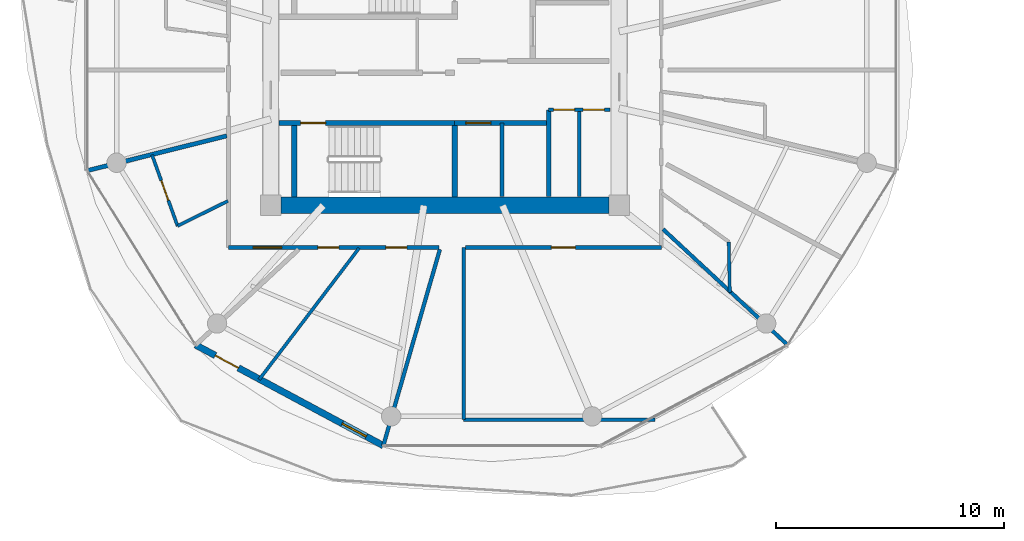
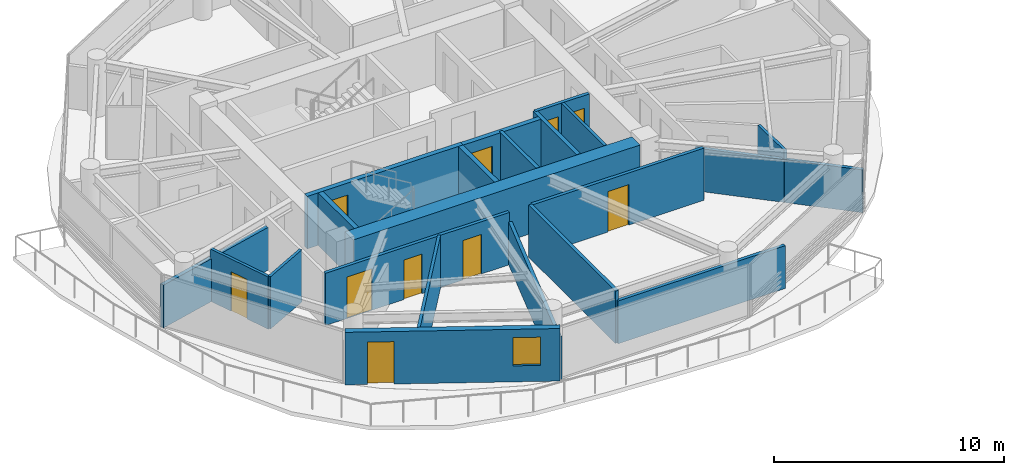
# One storey, part 13 of 24: 21 walls, 10 doors, 1 window, 11 openings.
"""IFC4 building model written with IfcOpenShell, lengths in metres."""

from ifc_helpers import new_model, si_unit, direction, frame, frame_2d, origin, place, context, subcontext, project, spatial, rectangle, extrude, source, transform, mapped, material, layer, layer_set, type_object, type_shapes, element, fill, save


model = new_model("IFC4")

# Units and contexts
model_context = context("Model", 3, precision=1e-05, world=origin(), true_north=direction((0.0, 1.0)))
body_context = subcontext(model_context, "Body", "Model", "MODEL_VIEW")
ifc_project = project(units=[si_unit("LENGTHUNIT", "METRE"), si_unit("AREAUNIT", "SQUARE_METRE"), si_unit("VOLUMEUNIT", "CUBIC_METRE"), si_unit("PLANEANGLEUNIT", "RADIAN"), si_unit("MASSUNIT", "GRAM", prefix="KILO")], contexts=[model_context])

# Site, building, storey
site_placement = place(None, origin())
site = spatial("IfcSite", under=ifc_project, at=site_placement, CompositionType="ELEMENT")
building_placement = place(site_placement, origin())
building = spatial("IfcBuilding", under=site, at=building_placement, Name="Norrkilde Senior Care Towers", CompositionType="ELEMENT")
storey_placement = place(building_placement, frame((0.0, 0.0, 108.449951171875)))
storey = spatial("IfcBuildingStorey", under=building, at=storey_placement, Name="L33", CompositionType="ELEMENT", Elevation=108.449951171875)

# Wall
ifc_material_1 = material(Name="Concrete C60/75", Category="concrete")
ifc_layer_1 = layer(ifc_material_1, 0.719970703125)
ifc_layer_set_1 = layer_set([ifc_layer_1], Name="Concrete C60/75")
wall_type_1 = type_object("IfcWallType", Name="Core Shear Wall Z2 720", PredefinedType="SHEAR", material=ifc_layer_set_1)
shared_shape_1 = source(origin(), body_context, "Body", "SweptSolid", [
    extrude(rectangle(XDim=14.39990234375, YDim=0.719970703125, at=frame_2d((7.199951171875, 0.0))), origin(), (0.0, 0.0, 1.0), 2.7900390625),
])
type_shapes(wall_type_1, [shared_shape_1])
wall_1_placement = place(storey_placement, frame((-20.800048828125, -5.949951171875, 0.0), z_axis=(0.0, 0.0, 1.0), x_axis=(-1.0, 0.0, 0.0)))
element("IfcWall", 1, at=wall_1_placement, inside=storey, type_object=wall_type_1, Name="L33 Core W South Shear Wall", PredefinedType="SHEAR", context=body_context, shape_type="MappedRepresentation", body=[
    mapped(shared_shape_1, transform((0.0, 0.0, 0.0), x_axis=(1.0, 0.0, 0.0), y_axis=(0.0, 1.0, 0.0), z_axis=(0.0, 0.0, 1.0), scale=1.0)),
])

# Wall, openings, door, window
ifc_material_2 = material(Name="Precast concrete C45/55", Category="concrete")
ifc_layer_2 = layer(ifc_material_2, 0.2900390625)
ifc_layer_set_2 = layer_set([ifc_layer_2], Name="Precast concrete C45/55")
wall_type_2 = type_object("IfcWallType", Name="Winter Garden Facade Wall 290", PredefinedType="SOLIDWALL", material=ifc_layer_set_2)
shared_shape_2 = source(origin(), body_context, "Body", "SweptSolid", [
    extrude(rectangle(XDim=9.3505859375, YDim=0.2900390625, at=frame_2d((4.67529296875, 0.0))), origin(), (0.0, 0.0, 1.0), 2.7900390625),
])
type_shapes(wall_type_2, [shared_shape_2])
wall_2_placement = place(storey_placement, frame((-30.70703125, -16.498046875, 0.0), z_axis=(0.0, 0.0, 1.0), x_axis=(-0.881184411073, 0.472772708267, 0.0)))
wall_2 = element("IfcWall", 2, at=wall_2_placement, inside=storey, type_object=wall_type_2, Name="L33 Drum W Balcony Access Wall 07", PredefinedType="SOLIDWALL", context=body_context, shape_type="MappedRepresentation", body=[
    mapped(shared_shape_2, transform((0.0, 0.0, 0.0), x_axis=(1.0, 0.0, 0.0), y_axis=(0.0, 1.0, 0.0), z_axis=(0.0, 0.0, 1.0), scale=1.0)),
])
opening_1_placement = place(wall_2_placement, frame((7.219970703125, 0.0, 0.0)))
opening_1 = element("IfcOpeningElement", 3, at=opening_1_placement, cuts=wall_2, Name="Opening D-09", PredefinedType="OPENING", context=body_context, shape_type="SweptSolid", body=[
    extrude(rectangle(XDim=1.14990234375, YDim=2.25, at=frame_2d((0.574951171875, 1.125))), frame((0.0, 0.155029296875, 0.0), z_axis=(0.0, -1.0, 0.0), x_axis=(1.0, 0.0, 0.0)), (0.0, 0.0, 1.0), 0.31005859375),
])
opening_2_placement = place(wall_2_placement, frame((0.85009765625, 0.0, 0.85009765625)))
opening_2 = element("IfcOpeningElement", 4, at=opening_2_placement, cuts=wall_2, Name="Opening WN-07", PredefinedType="OPENING", context=body_context, shape_type="SweptSolid", body=[
    extrude(rectangle(XDim=1.199951171875, YDim=1.5, at=frame_2d((0.60009765625, 0.75))), frame((0.0, 0.155029296875, 0.0), z_axis=(0.0, -1.0, 0.0), x_axis=(1.0, 0.0, 0.0)), (0.0, 0.0, 1.0), 0.31005859375),
])
ifc_material_3 = material(Name="Anodised Aluminium", Category="aluminium")
door_type_1 = type_object("IfcDoorType", Name="Terrace and Balcony Glazed Door 1150x2250", OperationType="NOTDEFINED", PredefinedType="DOOR", material=ifc_material_3)
shared_shape_3 = source(origin(), body_context, "Body", "SweptSolid", [
    extrude(rectangle(XDim=1.14990234375, YDim=2.25, at=frame_2d((0.574951171875, 1.125))), frame((0.0, 0.02490234375, 0.0), z_axis=(0.0, -1.0, 0.0), x_axis=(1.0, 0.0, 0.0)), (0.0, 0.0, 1.0), 0.050048828125),
])
type_shapes(door_type_1, [shared_shape_3])
door_1_placement = place(opening_1_placement, origin())
door_1 = element("IfcDoor", 5, at=door_1_placement, inside=storey, type_object=door_type_1, Name="L33 Drum W Outdoor Terrace Door 07", OperationType="SINGLE_SWING_RIGHT", OverallHeight=2.25, OverallWidth=1.14990234375, PredefinedType="DOOR", context=body_context, shape_type="MappedRepresentation", body=[
    mapped(shared_shape_3, transform((0.0, 0.0, 0.0), x_axis=(1.0, 0.0, 0.0), y_axis=(0.0, 1.0, 0.0), z_axis=(0.0, 0.0, 1.0), scale=1.0)),
])
fill(opening_1, door_1)
ifc_material_4 = material(Name="Triple Low-E Insulated Glazing", Category="glass")
window_type = type_object("IfcWindowType", Name="Stairwell Smoke Vent Window 1200x1500", PartitioningType="SINGLE_PANEL", PredefinedType="WINDOW", material=ifc_material_4)
shared_shape_4 = source(origin(), body_context, "Body", "SweptSolid", [
    extrude(rectangle(XDim=1.199951171875, YDim=1.5, at=frame_2d((0.60009765625, 0.75))), frame((0.0, 0.030029296875, 0.0), z_axis=(0.0, -1.0, 0.0), x_axis=(1.0, 0.0, 0.0)), (0.0, 0.0, 1.0), 0.06005859375),
])
type_shapes(window_type, [shared_shape_4])
window_placement = place(opening_2_placement, origin())
window = element("IfcWindow", 6, at=window_placement, inside=storey, type_object=window_type, Name="L33 Drum W Winter Garden Window 07", OverallHeight=1.5, OverallWidth=1.199951171875, PartitioningType="SINGLE_PANEL", PredefinedType="WINDOW", context=body_context, shape_type="MappedRepresentation", body=[
    mapped(shared_shape_4, transform((0.0, 0.0, 0.0), x_axis=(1.0, 0.0, 0.0), y_axis=(0.0, 1.0, 0.0), z_axis=(0.0, 0.0, 1.0), scale=1.0)),
])
fill(opening_2, window)

# Wall
ifc_material_5 = material(Name="Concrete C45/55", Category="concrete")
ifc_layer_3 = layer(ifc_material_5, 0.199951171875)
ifc_layer_set_3 = layer_set([ifc_layer_3], Name="Concrete C45/55")
wall_type_3 = type_object("IfcWallType", Name="Shaft Division and Plant Partition 200", PredefinedType="PARTITIONING", material=ifc_layer_set_3)
shared_shape_5 = source(origin(), body_context, "Body", "SweptSolid", [
    extrude(rectangle(XDim=3.800048828125, YDim=0.199951171875, at=frame_2d((1.89990234375, 0.0))), origin(), (0.0, 0.0, 1.0), 2.775146484375),
])
type_shapes(wall_type_3, [shared_shape_5])
wall_3_placement = place(storey_placement, frame((-23.449951171875, -5.550048828125, 0.0), z_axis=(0.0, 0.0, 1.0), x_axis=(0.0, 1.0, 0.0)))
element("IfcWall", 7, at=wall_3_placement, inside=storey, type_object=wall_type_3, Name="WL-INT-L33-W-PKBE", PredefinedType="PARTITIONING", context=body_context, shape_type="MappedRepresentation", body=[
    mapped(shared_shape_5, transform((0.0, 0.0, 0.0), x_axis=(1.0, 0.0, 0.0), y_axis=(0.0, 1.0, 0.0), z_axis=(0.0, 0.0, 1.0), scale=1.0)),
])

# Wall, opening, door
ifc_layer_4 = layer(ifc_material_5, 0.239990234375)
ifc_layer_set_4 = layer_set([ifc_layer_4], Name="Concrete C45/55")
wall_type_4 = type_object("IfcWallType", Name="Lift and Plant Rated Enclosure Partition 240", PredefinedType="PARTITIONING", material=ifc_layer_set_4)
shared_shape_6 = source(origin(), body_context, "Body", "SweptSolid", [
    extrude(rectangle(XDim=4.130126953125, YDim=0.239990234375, at=frame_2d((2.06494140625, 0.0))), origin(), (0.0, 0.0, 1.0), 2.775146484375),
])
type_shapes(wall_type_4, [shared_shape_6])
wall_4_placement = place(storey_placement, frame((-27.580078125, -2.330078125, 0.0), z_axis=(0.0, 0.0, 1.0), x_axis=(1.0, 0.0, 0.0)))
wall_4 = element("IfcWall", 8, at=wall_4_placement, inside=storey, type_object=wall_type_4, Name="WL-INT-L33-W-PKBN", PredefinedType="PARTITIONING", context=body_context, shape_type="MappedRepresentation", body=[
    mapped(shared_shape_6, transform((0.0, 0.0, 0.0), x_axis=(1.0, 0.0, 0.0), y_axis=(0.0, 1.0, 0.0), z_axis=(0.0, 0.0, 1.0), scale=1.0)),
])
opening_3_placement = place(wall_4_placement, frame((0.5, 0.0, 0.0)))
opening_3 = element("IfcOpeningElement", 9, at=opening_3_placement, cuts=wall_4, Name="Opening LD-01", PredefinedType="OPENING", context=body_context, shape_type="SweptSolid", body=[
    extrude(rectangle(XDim=1.10009765625, YDim=2.199951171875, at=frame_2d((0.550048828125, 1.10009765625))), frame((0.0, 0.1298828125, 0.0), z_axis=(0.0, -1.0, 0.0), x_axis=(1.0, 0.0, 0.0)), (0.0, 0.0, 1.0), 0.260009765625),
])
ifc_material_6 = material(Name="Stainless Steel", Category="steel")
door_type_2 = type_object("IfcDoorType", Name="Lift Landing Sliding Door 1100x2200", OperationType="NOTDEFINED", PredefinedType="DOOR", material=ifc_material_6)
shared_shape_7 = source(origin(), body_context, "Body", "SweptSolid", [
    extrude(rectangle(XDim=1.10009765625, YDim=2.199951171875, at=frame_2d((0.550048828125, 1.10009765625))), frame((0.0, 0.02490234375, 0.0), z_axis=(0.0, -1.0, 0.0), x_axis=(1.0, 0.0, 0.0)), (0.0, 0.0, 1.0), 0.050048828125),
])
type_shapes(door_type_2, [shared_shape_7])
door_2_placement = place(opening_3_placement, frame((1.10009765625, 0.0, 0.0), z_axis=(0.0, 0.0, 1.0), x_axis=(-1.0, 0.0, 0.0)))
door_2 = element("IfcDoor", 10, at=door_2_placement, inside=storey, type_object=door_type_2, Name="L33 Passenger Lift W3 Landing Door", OperationType="SLIDING_TO_LEFT", OverallHeight=2.199951171875, OverallWidth=1.10009765625, PredefinedType="DOOR", context=body_context, shape_type="MappedRepresentation", body=[
    mapped(shared_shape_7, transform((0.0, 0.0, 0.0), x_axis=(1.0, 0.0, 0.0), y_axis=(0.0, 1.0, 0.0), z_axis=(0.0, 0.0, 1.0), scale=1.0)),
])
fill(opening_3, door_2)

# Wall
ifc_layer_5 = layer(ifc_material_5, 0.179931640625)
ifc_layer_set_5 = layer_set([ifc_layer_5], Name="Concrete C45/55")
wall_type_5 = type_object("IfcWallType", Name="Hoistway Division Rated Partition 180", PredefinedType="PARTITIONING", material=ifc_layer_set_5)
shared_shape_8 = source(origin(), body_context, "Body", "SweptSolid", [
    extrude(rectangle(XDim=3.219970703125, YDim=0.179931640625, at=frame_2d((1.60986328125, 0.0))), origin(), (0.0, 0.0, 1.0), 2.775146484375),
])
type_shapes(wall_type_5, [shared_shape_8])
wall_5_placement = place(storey_placement, frame((-25.5, -5.550048828125, 0.0), z_axis=(0.0, 0.0, 1.0), x_axis=(0.0, 1.0, 0.0)))
element("IfcWall", 11, at=wall_5_placement, inside=storey, type_object=wall_type_5, Name="WL-INT-L33-W-PL34", PredefinedType="PARTITIONING", context=body_context, shape_type="MappedRepresentation", body=[
    mapped(shared_shape_8, transform((0.0, 0.0, 0.0), x_axis=(1.0, 0.0, 0.0), y_axis=(0.0, 1.0, 0.0), z_axis=(0.0, 0.0, 1.0), scale=1.0)),
])

# Wall, openings, doors
ifc_material_7 = material(Name="Gypsum Acoustic Board")
ifc_layer_6 = layer(ifc_material_7, 0.1650390625)
ifc_layer_set_6 = layer_set([ifc_layer_6], Name="Gypsum Acoustic Board")
wall_type_6 = type_object("IfcWallType", Name="Corridor Rated Partition 165", PredefinedType="PARTITIONING", material=ifc_layer_set_6)
shared_shape_9 = source(origin(), body_context, "Body", "SweptSolid", [
    extrude(rectangle(XDim=2.699951171875, YDim=0.1650390625, at=frame_2d((1.35009765625, 0.0))), origin(), (0.0, 0.0, 1.0), 2.775146484375),
])
wall_6_placement = place(storey_placement, frame((-23.449951171875, -1.75, 0.0), z_axis=(0.0, 0.0, 1.0), x_axis=(1.0, 0.0, 0.0)))
wall_6 = element("IfcWall", 12, at=wall_6_placement, inside=storey, type_object=wall_type_6, Name="WL-INT-L33-W-CSN", PredefinedType="PARTITIONING", context=body_context, shape_type="MappedRepresentation", body=[
    mapped(shared_shape_9, transform((0.0, 0.0, 0.0), x_axis=(1.0, 0.0, 0.0), y_axis=(0.0, 1.0, 0.0), z_axis=(0.0, 0.0, 1.0), scale=1.0)),
])
opening_4_placement = place(wall_6_placement, frame((0.222412109375, 0.0, 0.0)))
opening_4 = element("IfcOpeningElement", 13, at=opening_4_placement, cuts=wall_6, Name="Opening D-12", PredefinedType="OPENING", context=body_context, shape_type="SweptSolid", body=[
    extrude(rectangle(XDim=0.925048828125, YDim=2.10009765625, at=frame_2d((0.46240234375, 1.050048828125))), frame((0.0, 0.092529296875, 0.0), z_axis=(0.0, -1.0, 0.0), x_axis=(1.0, 0.0, 0.0)), (0.0, 0.0, 1.0), 0.18505859375),
])
opening_5_placement = place(wall_6_placement, frame((1.5224609375, 0.0, 0.0)))
opening_5 = element("IfcOpeningElement", 14, at=opening_5_placement, cuts=wall_6, Name="Opening D-12", PredefinedType="OPENING", context=body_context, shape_type="SweptSolid", body=[
    extrude(rectangle(XDim=0.925048828125, YDim=2.10009765625, at=frame_2d((0.46240234375, 1.050048828125))), frame((0.0, 0.092529296875, 0.0), z_axis=(0.0, -1.0, 0.0), x_axis=(1.0, 0.0, 0.0)), (0.0, 0.0, 1.0), 0.18505859375),
])
ifc_material_8 = material(Name="Galvanised Painted Steel", Category="steel")
door_type_3 = type_object("IfcDoorType", Name="Core Wet Room Rated Door 925x2100", OperationType="NOTDEFINED", PredefinedType="DOOR", material=ifc_material_8)
shared_shape_10 = source(origin(), body_context, "Body", "SweptSolid", [
    extrude(rectangle(XDim=0.925048828125, YDim=2.10009765625, at=frame_2d((0.46240234375, 1.050048828125))), frame((0.0, 0.02490234375, 0.0), z_axis=(0.0, -1.0, 0.0), x_axis=(1.0, 0.0, 0.0)), (0.0, 0.0, 1.0), 0.050048828125),
])
type_shapes(door_type_3, [shared_shape_10])
door_3_placement = place(opening_4_placement, origin())
door_3 = element("IfcDoor", 15, at=door_3_placement, inside=storey, type_object=door_type_3, Name="L33 Staff Accessible WC W Door", OperationType="SINGLE_SWING_LEFT", OverallHeight=2.10009765625, OverallWidth=0.925048828125, PredefinedType="DOOR", context=body_context, shape_type="MappedRepresentation", body=[
    mapped(shared_shape_10, transform((0.0, 0.0, 0.0), x_axis=(1.0, 0.0, 0.0), y_axis=(0.0, 1.0, 0.0), z_axis=(0.0, 0.0, 1.0), scale=1.0)),
])
fill(opening_4, door_3)
door_4_placement = place(opening_5_placement, origin())
door_4 = element("IfcDoor", 16, at=door_4_placement, inside=storey, type_object=door_type_3, Name="L33 Housekeeping Store W Door", OperationType="SINGLE_SWING_RIGHT", OverallHeight=2.10009765625, OverallWidth=0.925048828125, PredefinedType="DOOR", context=body_context, shape_type="MappedRepresentation", body=[
    mapped(shared_shape_10, transform((0.0, 0.0, 0.0), x_axis=(1.0, 0.0, 0.0), y_axis=(0.0, 1.0, 0.0), z_axis=(0.0, 0.0, 1.0), scale=1.0)),
])
fill(opening_5, door_4)

# Wall, opening, door
ifc_layer_7 = layer(ifc_material_5, 0.239990234375)
ifc_layer_set_7 = layer_set([ifc_layer_7], Name="Concrete C45/55")
wall_type_7 = type_object("IfcWallType", Name="Shaft and Stair Enclosure Wall 240", PredefinedType="PARTITIONING", material=ifc_layer_set_7)
shared_shape_11 = source(origin(), body_context, "Body", "SweptSolid", [
    extrude(rectangle(XDim=7.830078125, YDim=0.239990234375, at=frame_2d((3.9150390625, 0.0))), origin(), (0.0, 0.0, 1.0), 2.7900390625),
])
wall_7_placement = place(storey_placement, frame((-35.2900390625, -2.330078125, 0.0), z_axis=(0.0, 0.0, 1.0), x_axis=(1.0, 0.0, 0.0)))
wall_7 = element("IfcWall", 17, at=wall_7_placement, inside=storey, type_object=wall_type_7, Name="WL-INT-L33-W-ST2N", PredefinedType="PARTITIONING", context=body_context, shape_type="MappedRepresentation", body=[
    mapped(shared_shape_11, transform((0.0, 0.0, 0.0), x_axis=(1.0, 0.0, 0.0), y_axis=(0.0, 1.0, 0.0), z_axis=(0.0, 0.0, 1.0), scale=1.0)),
])
opening_6_placement = place(wall_7_placement, frame((0.949951171875, 0.0, 0.0)))
opening_6 = element("IfcOpeningElement", 18, at=opening_6_placement, cuts=wall_7, Name="Opening D-03", PredefinedType="OPENING", context=body_context, shape_type="SweptSolid", body=[
    extrude(rectangle(XDim=1.10009765625, YDim=2.14990234375, at=frame_2d((0.550048828125, 1.074951171875))), frame((0.0, 0.1298828125, 0.0), z_axis=(0.0, -1.0, 0.0), x_axis=(1.0, 0.0, 0.0)), (0.0, 0.0, 1.0), 0.260009765625),
])
door_type_4 = type_object("IfcDoorType", Name="Stairwell Protected Fire Door 1100x2150", OperationType="NOTDEFINED", PredefinedType="DOOR", material=ifc_material_8)
shared_shape_12 = source(origin(), body_context, "Body", "SweptSolid", [
    extrude(rectangle(XDim=1.10009765625, YDim=2.14990234375, at=frame_2d((0.550048828125, 1.074951171875))), frame((0.0, 0.02490234375, 0.0), z_axis=(0.0, -1.0, 0.0), x_axis=(1.0, 0.0, 0.0)), (0.0, 0.0, 1.0), 0.050048828125),
])
type_shapes(door_type_4, [shared_shape_12])
door_5_placement = place(opening_6_placement, frame((1.10009765625, 0.0, 0.0), z_axis=(0.0, 0.0, 1.0), x_axis=(-1.0, 0.0, 0.0)))
door_5 = element("IfcDoor", 19, at=door_5_placement, inside=storey, type_object=door_type_4, Name="L33 Stair W2 Fire Door", OperationType="SINGLE_SWING_RIGHT", OverallHeight=2.14990234375, OverallWidth=1.10009765625, PredefinedType="DOOR", context=body_context, shape_type="MappedRepresentation", body=[
    mapped(shared_shape_12, transform((0.0, 0.0, 0.0), x_axis=(1.0, 0.0, 0.0), y_axis=(0.0, 1.0, 0.0), z_axis=(0.0, 0.0, 1.0), scale=1.0)),
])
fill(opening_6, door_5)

# Walls
shared_shape_13 = source(origin(), body_context, "Body", "SweptSolid", [
    extrude(rectangle(XDim=3.14013671875, YDim=0.239990234375, at=frame_2d((1.570068359375, 0.0))), origin(), (0.0, 0.0, 1.0), 2.7900390625),
])
type_shapes(wall_type_7, [shared_shape_11, shared_shape_13])
for number, where, z_axis, x_axis, name in (
    (20, (-34.6201171875, -5.590087890625, 0.0), (0.0, 0.0, 1.0), (0.0, 1.0, 0.0), "WL-INT-L33-W-ST2W"),
    (21, (-27.580078125, -5.590087890625, 0.0), (0.0, 0.0, 1.0), (0.0, 1.0, 0.0), "WL-INT-L33-W-ST2E"),
):
    element("IfcWall", number, at=place(storey_placement, frame(where, z_axis=z_axis, x_axis=x_axis)), inside=storey, type_object=wall_type_7, Name=name, PredefinedType="PARTITIONING", context=body_context, shape_type="MappedRepresentation", body=[
        mapped(shared_shape_13, transform((0.0, 0.0, 0.0), x_axis=(1.0, 0.0, 0.0), y_axis=(0.0, 1.0, 0.0), z_axis=(0.0, 0.0, 1.0), scale=1.0)),
    ])
ifc_layer_8 = layer(ifc_material_7, 0.139892578125)
ifc_layer_set_8 = layer_set([ifc_layer_8], Name="Gypsum Acoustic Board")
wall_type_8 = type_object("IfcWallType", Name="En-suite Wet Room Wall 140", PredefinedType="PARTITIONING", material=ifc_layer_set_8)
shared_shape_14 = source(origin(), body_context, "Body", "SweptSolid", [
    extrude(rectangle(XDim=7.24267578125, YDim=0.139892578125, at=frame_2d((3.621337890625, 0.0))), origin(), (0.0, 0.0, 1.0), 2.775146484375),
])
wall_8_placement = place(storey_placement, frame((-31.773681640625, -7.830078125, 0.0), z_axis=(0.0, 0.0, 1.0), x_axis=(-0.605111472002, -0.796140757939, 0.0)))
element("IfcWall", 22, at=wall_8_placement, inside=storey, type_object=wall_type_8, Name="WL-INT-L33-W-MID-07", PredefinedType="PARTITIONING", context=body_context, shape_type="MappedRepresentation", body=[
    mapped(shared_shape_14, transform((0.0, 0.0, 0.0), x_axis=(1.0, 0.0, 0.0), y_axis=(0.0, 1.0, 0.0), z_axis=(0.0, 0.0, 1.0), scale=1.0)),
])
ifc_layer_9 = layer(ifc_material_7, 0.18994140625)
ifc_layer_set_9 = layer_set([ifc_layer_9], Name="Gypsum Acoustic Board")
wall_type_9 = type_object("IfcWallType", Name="Unit Demising Acoustic Wall 190", PredefinedType="PARTITIONING", material=ifc_layer_set_9)
shared_shape_15 = source(origin(), body_context, "Body", "SweptSolid", [
    extrude(rectangle(XDim=6.33056640625, YDim=0.18994140625, at=frame_2d((3.165283203125, 0.0))), origin(), (0.0, 0.0, 1.0), 2.275146484375),
])
type_shapes(wall_type_9, [shared_shape_15])
wall_9_placement = place(storey_placement, frame((-37.580078125, -2.89599609375, 0.0), z_axis=(0.0, 0.0, 1.0), x_axis=(-0.97036440661, -0.241646267062, 0.0)))
element("IfcWall", 23, at=wall_9_placement, inside=storey, type_object=wall_type_9, Name="WL-INT-L33-W-DEM-06-0", PredefinedType="PARTITIONING", context=body_context, shape_type="MappedRepresentation", body=[
    mapped(shared_shape_15, transform((0.0, 0.0, 0.0), x_axis=(1.0, 0.0, 0.0), y_axis=(0.0, 1.0, 0.0), z_axis=(0.0, 0.0, 1.0), scale=1.0)),
])
shared_shape_16 = source(origin(), body_context, "Body", "SweptSolid", [
    extrude(rectangle(XDim=3.800048828125, YDim=0.139892578125, at=frame_2d((1.89990234375, 0.0))), origin(), (0.0, 0.0, 1.0), 2.775146484375),
])
wall_10_placement = place(storey_placement, frame((-22.10009765625, -5.550048828125, 0.0), z_axis=(0.0, 0.0, 1.0), x_axis=(0.0, 1.0, 0.0)))
element("IfcWall", 24, at=wall_10_placement, inside=storey, type_object=wall_type_8, Name="WL-INT-L33-W-CS1V", PredefinedType="PARTITIONING", context=body_context, shape_type="MappedRepresentation", body=[
    mapped(shared_shape_16, transform((0.0, 0.0, 0.0), x_axis=(1.0, 0.0, 0.0), y_axis=(0.0, 1.0, 0.0), z_axis=(0.0, 0.0, 1.0), scale=1.0)),
])

# Wall, opening, door
shared_shape_17 = source(origin(), body_context, "Body", "SweptSolid", [
    extrude(rectangle(XDim=8.60009765625, YDim=0.1650390625, at=frame_2d((4.300048828125, 0.0))), origin(), (0.0, 0.0, 1.0), 2.775146484375),
])
wall_11_placement = place(storey_placement, frame((-18.5, -7.800048828125, 0.0), z_axis=(0.0, 0.0, 1.0), x_axis=(-1.0, 0.0, 0.0)))
wall_11 = element("IfcWall", 25, at=wall_11_placement, inside=storey, type_object=wall_type_6, Name="WL-INT-L33-W-CRW-S-0", PredefinedType="PARTITIONING", context=body_context, shape_type="MappedRepresentation", body=[
    mapped(shared_shape_17, transform((0.0, 0.0, 0.0), x_axis=(1.0, 0.0, 0.0), y_axis=(0.0, 1.0, 0.0), z_axis=(0.0, 0.0, 1.0), scale=1.0)),
])
opening_7_placement = place(wall_11_placement, frame((3.77490234375, 0.0, 0.0)))
opening_7 = element("IfcOpeningElement", 26, at=opening_7_placement, cuts=wall_11, Name="Opening D-06", PredefinedType="OPENING", context=body_context, shape_type="SweptSolid", body=[
    extrude(rectangle(XDim=1.050048828125, YDim=2.14990234375, at=frame_2d((0.52490234375, 1.074951171875))), frame((0.0, 0.092529296875, 0.0), z_axis=(0.0, -1.0, 0.0), x_axis=(1.0, 0.0, 0.0)), (0.0, 0.0, 1.0), 0.18505859375),
])
ifc_material_9 = material(Name="Nordic Ash Timber", Category="wood")
door_type_5 = type_object("IfcDoorType", Name="Apartment Entrance Fire Door 1050x2150", OperationType="NOTDEFINED", PredefinedType="DOOR", material=ifc_material_9)
shared_shape_18 = source(origin(), body_context, "Body", "SweptSolid", [
    extrude(rectangle(XDim=1.050048828125, YDim=2.14990234375, at=frame_2d((0.52490234375, 1.074951171875))), frame((0.0, 0.02490234375, 0.0), z_axis=(0.0, -1.0, 0.0), x_axis=(1.0, 0.0, 0.0)), (0.0, 0.0, 1.0), 0.050048828125),
])
type_shapes(door_type_5, [shared_shape_18])
door_6_placement = place(opening_7_placement, frame((1.050048828125, 0.0, 0.0), z_axis=(0.0, 0.0, 1.0), x_axis=(-1.0, 0.0, 0.0)))
door_6 = element("IfcDoor", 27, at=door_6_placement, inside=storey, type_object=door_type_5, Name="L33 Reading Lounge SEL Door", OperationType="SINGLE_SWING_RIGHT", OverallHeight=2.14990234375, OverallWidth=1.050048828125, PredefinedType="DOOR", context=body_context, shape_type="MappedRepresentation", body=[
    mapped(shared_shape_18, transform((0.0, 0.0, 0.0), x_axis=(1.0, 0.0, 0.0), y_axis=(0.0, 1.0, 0.0), z_axis=(0.0, 0.0, 1.0), scale=1.0)),
])
fill(opening_7, door_6)

# Wall, openings, doors
shared_shape_19 = source(origin(), body_context, "Body", "SweptSolid", [
    extrude(rectangle(XDim=9.234130859375, YDim=0.1650390625, at=frame_2d((4.6171875, 0.0))), origin(), (0.0, 0.0, 1.0), 2.775146484375),
])
wall_12_placement = place(storey_placement, frame((-28.265869140625, -7.800048828125, 0.0), z_axis=(0.0, 0.0, 1.0), x_axis=(-1.0, 0.0, 0.0)))
wall_12 = element("IfcWall", 28, at=wall_12_placement, inside=storey, type_object=wall_type_6, Name="WL-INT-L33-W-CRW-S-1", PredefinedType="PARTITIONING", context=body_context, shape_type="MappedRepresentation", body=[
    mapped(shared_shape_19, transform((0.0, 0.0, 0.0), x_axis=(1.0, 0.0, 0.0), y_axis=(0.0, 1.0, 0.0), z_axis=(0.0, 0.0, 1.0), scale=1.0)),
])
opening_8_placement = place(wall_12_placement, frame((6.908935546875, 0.0, 0.0)))
opening_8 = element("IfcOpeningElement", 29, at=opening_8_placement, cuts=wall_12, Name="Opening D-05", PredefinedType="OPENING", context=body_context, shape_type="SweptSolid", body=[
    extrude(rectangle(XDim=1.25, YDim=2.199951171875, at=frame_2d((0.625, 1.10009765625))), frame((0.0, 0.092529296875, 0.0), z_axis=(0.0, -1.0, 0.0), x_axis=(1.0, 0.0, 0.0)), (0.0, 0.0, 1.0), 0.18505859375),
])
opening_9_placement = place(wall_12_placement, frame((4.39208984375, 0.0, 0.0)))
opening_9 = element("IfcOpeningElement", 30, at=opening_9_placement, cuts=wall_12, Name="Opening D-08", PredefinedType="OPENING", context=body_context, shape_type="SweptSolid", body=[
    extrude(rectangle(XDim=0.919921875, YDim=2.10009765625, at=frame_2d((0.4599609375, 1.050048828125))), frame((0.0, 0.092529296875, 0.0), z_axis=(0.0, -1.0, 0.0), x_axis=(1.0, 0.0, 0.0)), (0.0, 0.0, 1.0), 0.18505859375),
])
opening_10_placement = place(wall_12_placement, frame((1.407958984375, 0.0, 0.0)))
opening_10 = element("IfcOpeningElement", 31, at=opening_10_placement, cuts=wall_12, Name="Opening D-08", PredefinedType="OPENING", context=body_context, shape_type="SweptSolid", body=[
    extrude(rectangle(XDim=0.919921875, YDim=2.10009765625, at=frame_2d((0.4599609375, 1.050048828125))), frame((0.0, 0.092529296875, 0.0), z_axis=(0.0, -1.0, 0.0), x_axis=(1.0, 0.0, 0.0)), (0.0, 0.0, 1.0), 0.18505859375),
])
door_type_6 = type_object("IfcDoorType", Name="Care Bedroom Bariatric Door 1250x2200", OperationType="NOTDEFINED", PredefinedType="DOOR", material=ifc_material_9)
shared_shape_20 = source(origin(), body_context, "Body", "SweptSolid", [
    extrude(rectangle(XDim=1.25, YDim=2.199951171875, at=frame_2d((0.625, 1.10009765625))), frame((0.0, 0.02490234375, 0.0), z_axis=(0.0, -1.0, 0.0), x_axis=(1.0, 0.0, 0.0)), (0.0, 0.0, 1.0), 0.050048828125),
])
type_shapes(door_type_6, [shared_shape_20])
door_7_placement = place(opening_8_placement, frame((1.25, 0.0, 0.0), z_axis=(0.0, 0.0, 1.0), x_axis=(-1.0, 0.0, 0.0)))
door_7 = element("IfcDoor", 32, at=door_7_placement, inside=storey, type_object=door_type_6, Name="L33 Care Suite 3306 Entrance Door", OperationType="SINGLE_SWING_LEFT", OverallHeight=2.199951171875, OverallWidth=1.25, PredefinedType="DOOR", context=body_context, shape_type="MappedRepresentation", body=[
    mapped(shared_shape_20, transform((0.0, 0.0, 0.0), x_axis=(1.0, 0.0, 0.0), y_axis=(0.0, 1.0, 0.0), z_axis=(0.0, 0.0, 1.0), scale=1.0)),
])
fill(opening_8, door_7)
door_type_7 = type_object("IfcDoorType", Name="Accessible Wet Room Door 920x2100", OperationType="NOTDEFINED", PredefinedType="DOOR", material=ifc_material_9)
shared_shape_21 = source(origin(), body_context, "Body", "SweptSolid", [
    extrude(rectangle(XDim=0.919921875, YDim=2.10009765625, at=frame_2d((0.4599609375, 1.050048828125))), frame((0.0, 0.02490234375, 0.0), z_axis=(0.0, -1.0, 0.0), x_axis=(1.0, 0.0, 0.0)), (0.0, 0.0, 1.0), 0.050048828125),
])
type_shapes(door_type_7, [shared_shape_21])
door_8_placement = place(opening_9_placement, frame((0.919921875, 0.0, 0.0), z_axis=(0.0, 0.0, 1.0), x_axis=(-1.0, 0.0, 0.0)))
door_8 = element("IfcDoor", 33, at=door_8_placement, inside=storey, type_object=door_type_7, Name="L33 Accessible Restroom Door", OperationType="SINGLE_SWING_RIGHT", OverallHeight=2.10009765625, OverallWidth=0.919921875, PredefinedType="DOOR", context=body_context, shape_type="MappedRepresentation", body=[
    mapped(shared_shape_21, transform((0.0, 0.0, 0.0), x_axis=(1.0, 0.0, 0.0), y_axis=(0.0, 1.0, 0.0), z_axis=(0.0, 0.0, 1.0), scale=1.0)),
])
fill(opening_9, door_8)
door_9_placement = place(opening_10_placement, frame((0.919921875, 0.0, 0.0), z_axis=(0.0, 0.0, 1.0), x_axis=(-1.0, 0.0, 0.0)))
door_9 = element("IfcDoor", 34, at=door_9_placement, inside=storey, type_object=door_type_7, Name="L33 Public Restroom Door", OperationType="SINGLE_SWING_LEFT", OverallHeight=2.10009765625, OverallWidth=0.919921875, PredefinedType="DOOR", context=body_context, shape_type="MappedRepresentation", body=[
    mapped(shared_shape_21, transform((0.0, 0.0, 0.0), x_axis=(1.0, 0.0, 0.0), y_axis=(0.0, 1.0, 0.0), z_axis=(0.0, 0.0, 1.0), scale=1.0)),
])
fill(opening_10, door_9)

# Walls
shared_shape_22 = source(origin(), body_context, "Body", "SweptSolid", [
    extrude(rectangle(XDim=8.9892578125, YDim=0.1650390625, at=frame_2d((4.49462890625, 0.0))), origin(), (0.0, 0.0, 1.0), 2.275146484375),
])
wall_13_placement = place(storey_placement, frame((-28.221923828125, -7.8798828125, 0.0), z_axis=(0.0, 0.0, 1.0), x_axis=(-0.27702323008, -0.960863221274, 0.0)))
element("IfcWall", 35, at=wall_13_placement, inside=storey, type_object=wall_type_6, Name="WL-INT-L33-W-DEM-08-0", PredefinedType="PARTITIONING", context=body_context, shape_type="MappedRepresentation", body=[
    mapped(shared_shape_22, transform((0.0, 0.0, 0.0), x_axis=(1.0, 0.0, 0.0), y_axis=(0.0, 1.0, 0.0), z_axis=(0.0, 0.0, 1.0), scale=1.0)),
])
shared_shape_23 = source(origin(), body_context, "Body", "SweptSolid", [
    extrude(rectangle(XDim=7.482177734375, YDim=0.1650390625, at=frame_2d((3.7412109375, 0.0))), origin(), (0.0, 0.0, 1.0), 2.275146484375),
])
wall_14_placement = place(storey_placement, frame((-18.419921875, -6.998046875, 0.0), z_axis=(0.0, 0.0, 1.0), x_axis=(0.732508698043, -0.680757671489, 0.0)))
element("IfcWall", 36, at=wall_14_placement, inside=storey, type_object=wall_type_6, Name="WL-INT-L33-W-DEM-10-0", PredefinedType="PARTITIONING", context=body_context, shape_type="MappedRepresentation", body=[
    mapped(shared_shape_23, transform((0.0, 0.0, 0.0), x_axis=(1.0, 0.0, 0.0), y_axis=(0.0, 1.0, 0.0), z_axis=(0.0, 0.0, 1.0), scale=1.0)),
])
shared_shape_24 = source(origin(), body_context, "Body", "SweptSolid", [
    extrude(rectangle(XDim=7.56005859375, YDim=0.1650390625, at=frame_2d((3.780029296875, 0.0))), origin(), (0.0, 0.0, 1.0), 2.775146484375),
])
wall_15_placement = place(storey_placement, frame((-27.179931640625, -15.360107421875, 0.0), z_axis=(0.0, 0.0, 1.0), x_axis=(0.0, 1.0, 0.0)))
element("IfcWall", 37, at=wall_15_placement, inside=storey, type_object=wall_type_6, Name="WL-INT-L33-W-PKW-SEL", PredefinedType="PARTITIONING", context=body_context, shape_type="MappedRepresentation", body=[
    mapped(shared_shape_24, transform((0.0, 0.0, 0.0), x_axis=(1.0, 0.0, 0.0), y_axis=(0.0, 1.0, 0.0), z_axis=(0.0, 0.0, 1.0), scale=1.0)),
])
shared_shape_25 = source(origin(), body_context, "Body", "SweptSolid", [
    extrude(rectangle(XDim=8.406982421875, YDim=0.1650390625, at=frame_2d((4.20361328125, 0.0))), origin(), (0.0, 0.0, 1.0), 2.275146484375),
])
type_shapes(wall_type_6, [shared_shape_9, shared_shape_17, shared_shape_19, shared_shape_22, shared_shape_23, shared_shape_24, shared_shape_25])
wall_16_placement = place(storey_placement, frame((-27.179931640625, -15.360107421875, 0.0), z_axis=(0.0, 0.0, 1.0), x_axis=(1.0, 0.0, 0.0)))
element("IfcWall", 38, at=wall_16_placement, inside=storey, type_object=wall_type_6, Name="WL-INT-L33-W-PKH-SEL-0", PredefinedType="PARTITIONING", context=body_context, shape_type="MappedRepresentation", body=[
    mapped(shared_shape_25, transform((0.0, 0.0, 0.0), x_axis=(1.0, 0.0, 0.0), y_axis=(0.0, 1.0, 0.0), z_axis=(0.0, 0.0, 1.0), scale=1.0)),
])
shared_shape_26 = source(origin(), body_context, "Body", "SweptSolid", [
    extrude(rectangle(XDim=2.224853515625, YDim=0.139892578125, at=frame_2d((1.1123046875, 0.0))), origin(), (0.0, 0.0, 1.0), 2.775146484375),
])
wall_17_placement = place(storey_placement, frame((-15.537841796875, -7.547119140625, 0.0), z_axis=(0.0, 0.0, 1.0), x_axis=(0.019971869027, -0.999800542332, 0.0)))
element("IfcWall", 39, at=wall_17_placement, inside=storey, type_object=wall_type_8, Name="WL-INT-L33-W-EF-10A", PredefinedType="PARTITIONING", context=body_context, shape_type="MappedRepresentation", body=[
    mapped(shared_shape_26, transform((0.0, 0.0, 0.0), x_axis=(1.0, 0.0, 0.0), y_axis=(0.0, 1.0, 0.0), z_axis=(0.0, 0.0, 1.0), scale=1.0)),
])
shared_shape_27 = source(origin(), body_context, "Body", "SweptSolid", [
    extrude(rectangle(XDim=2.46923828125, YDim=0.139892578125, at=frame_2d((1.234619140625, 0.0))), origin(), (0.0, 0.0, 1.0), 2.775146484375),
])
wall_18_placement = place(storey_placement, frame((-37.530029296875, -5.753662109375, 0.0), z_axis=(0.0, 0.0, 1.0), x_axis=(-0.895512172456, -0.445037019789, 0.0)))
element("IfcWall", 40, at=wall_18_placement, inside=storey, type_object=wall_type_8, Name="WL-INT-L33-W-ES-06", PredefinedType="PARTITIONING", context=body_context, shape_type="MappedRepresentation", body=[
    mapped(shared_shape_27, transform((0.0, 0.0, 0.0), x_axis=(1.0, 0.0, 0.0), y_axis=(0.0, 1.0, 0.0), z_axis=(0.0, 0.0, 1.0), scale=1.0)),
])

# Wall, opening, door
shared_shape_28 = source(origin(), body_context, "Body", "SweptSolid", [
    extrude(rectangle(XDim=3.31396484375, YDim=0.139892578125, at=frame_2d((1.656982421875, 0.0))), origin(), (0.0, 0.0, 1.0), 2.775146484375),
])
type_shapes(wall_type_8, [shared_shape_14, shared_shape_16, shared_shape_26, shared_shape_27, shared_shape_28])
wall_19_placement = place(storey_placement, frame((-39.7412109375, -6.8525390625, 0.0), z_axis=(0.0, 0.0, 1.0), x_axis=(-0.338067217654, 0.941121966776, 0.0)))
wall_19 = element("IfcWall", 41, at=wall_19_placement, inside=storey, type_object=wall_type_8, Name="WL-INT-L33-W-EF-06", PredefinedType="PARTITIONING", context=body_context, shape_type="MappedRepresentation", body=[
    mapped(shared_shape_28, transform((0.0, 0.0, 0.0), x_axis=(1.0, 0.0, 0.0), y_axis=(0.0, 1.0, 0.0), z_axis=(0.0, 0.0, 1.0), scale=1.0)),
])
opening_11_placement = place(wall_19_placement, frame((1.197021484375, 0.0, 0.0)))
opening_11 = element("IfcOpeningElement", 42, at=opening_11_placement, cuts=wall_19, Name="Opening D-08", PredefinedType="OPENING", context=body_context, shape_type="SweptSolid", body=[
    extrude(rectangle(XDim=0.919921875, YDim=2.10009765625, at=frame_2d((0.4599609375, 1.050048828125))), frame((0.0, 0.079833984375, 0.0), z_axis=(0.0, -1.0, 0.0), x_axis=(1.0, 0.0, 0.0)), (0.0, 0.0, 1.0), 0.159912109375),
])
door_10_placement = place(opening_11_placement, origin())
door_10 = element("IfcDoor", 43, at=door_10_placement, inside=storey, type_object=door_type_7, Name="L33 Care Suite 3306 Bathroom Door", OperationType="SINGLE_SWING_RIGHT", OverallHeight=2.10009765625, OverallWidth=0.919921875, PredefinedType="DOOR", context=body_context, shape_type="MappedRepresentation", body=[
    mapped(shared_shape_21, transform((0.0, 0.0, 0.0), x_axis=(1.0, 0.0, 0.0), y_axis=(0.0, 1.0, 0.0), z_axis=(0.0, 0.0, 1.0), scale=1.0)),
])
fill(opening_11, door_10)

save(model, "model.ifc")
